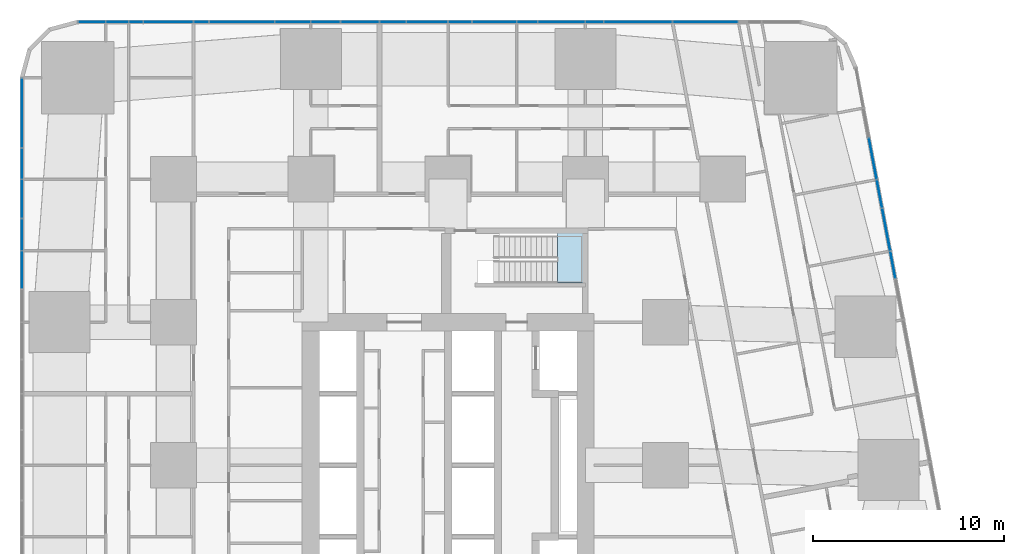
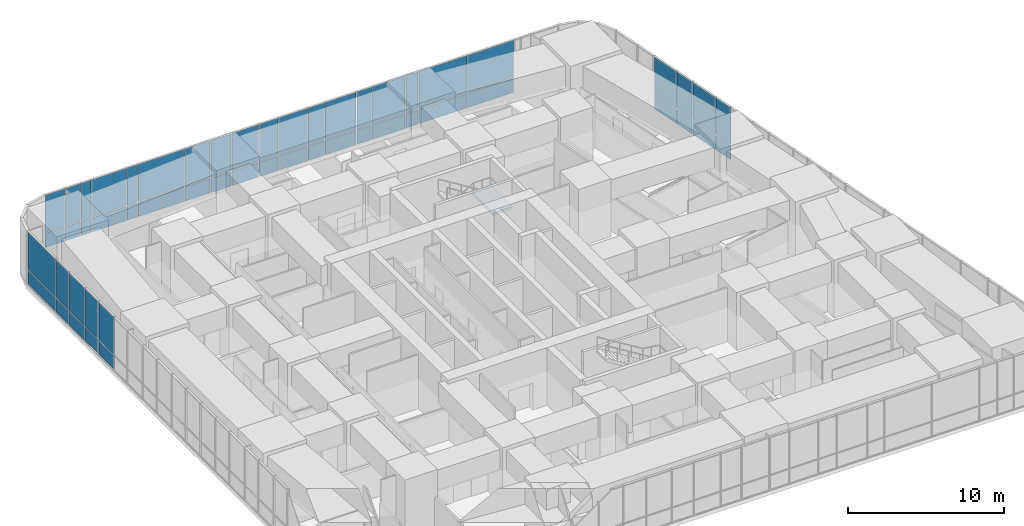
# One storey, part 12 of 23: 54 plates, 1 slab, 4 elements without a shape of their own.
"""IFC4 building model written with IfcOpenShell, lengths in metres."""

from ifc_helpers import new_model, si_unit, direction, frame, origin, origin_2d, place, context, subcontext, project, spatial, polyline, rectangle, outline, extrude, material, layer, layer_set, type_object, element, aggregate, save


model = new_model("IFC4")

# Units and contexts
model_context = context("Model", 3, precision=1e-05, world=origin(), true_north=direction((0.0, 1.0)))
body_context = subcontext(model_context, "Body", "Model", "MODEL_VIEW")
ifc_project = project(units=[si_unit("LENGTHUNIT", "METRE"), si_unit("AREAUNIT", "SQUARE_METRE"), si_unit("VOLUMEUNIT", "CUBIC_METRE"), si_unit("PLANEANGLEUNIT", "RADIAN"), si_unit("MASSUNIT", "GRAM", prefix="KILO")], contexts=[model_context])

# Site, building, storey
site_placement = place(None, origin())
site = spatial("IfcSite", under=ifc_project, at=site_placement, CompositionType="ELEMENT")
building_placement = place(site_placement, origin())
building = spatial("IfcBuilding", under=site, at=building_placement, Name="Sheger Commons Tower", CompositionType="ELEMENT")
storey_placement = place(building_placement, frame((0.0, 0.0, 5.60009765625)))
storey = spatial("IfcBuildingStorey", under=building, at=storey_placement, Name="L01", CompositionType="ELEMENT", Elevation=5.60009765625)

# Curtain wall, plates
ifc_material_1 = material(Name="Black aluminium curtain wall, dark tinted glazing", Category="aluminium")
curtain_wall_type = type_object("IfcCurtainWallType", Name="CURTAIN WALL CW2 HEALTH CENTRE", PredefinedType="USERDEFINED", material=ifc_material_1)
curtain_wall_1_placement = place(storey_placement, origin())
curtain_wall_1 = element("IfcCurtainWall", 1, at=curtain_wall_1_placement, inside=storey, type_object=curtain_wall_type, Name="Curtain Wall Cw2 Health Centre E1 L01", ObjectType="STICK CURTAIN WALL", PredefinedType="USERDEFINED")
ifc_material_2 = material(Name="Dark tinted double glazing", Category="glass")
ifc_layer_1 = layer(ifc_material_2, 0.031982421875)
ifc_layer_set_1 = layer_set([ifc_layer_1], Name="GLAZED PANEL 32")
plate_type = type_object("IfcPlateType", Name="GLAZED PANEL 32", PredefinedType="CURTAIN_PANEL", material=ifc_layer_set_1)
plate_1_placement = place(storey_placement, frame((44.9287109375, 33.007568359375, 0.06494140625), z_axis=(0.0, 0.0, 1.0), x_axis=(-0.185609884918, 0.982623514181, 0.0)))
plate_1 = element("IfcPlate", 2, at=plate_1_placement, type_object=plate_type, Name="CW2 panel 15.1", PredefinedType="CURTAIN_PANEL", context=body_context, shape_type="SweptSolid", body=[
    extrude(rectangle(XDim=1.407958984375, YDim=0.031982421875, at=origin_2d()), origin(), (0.0, 0.0, 1.0), 1.1025390625),
])
plate_2_placement = place(storey_placement, frame((44.9287109375, 33.007568359375, 1.232421875), z_axis=(0.0, 0.0, 1.0), x_axis=(-0.185609884918, 0.982623514181, 0.0)))
plate_2 = element("IfcPlate", 3, at=plate_2_placement, type_object=plate_type, Name="CW2 panel 15.2", PredefinedType="CURTAIN_PANEL", context=body_context, shape_type="SweptSolid", body=[
    extrude(rectangle(XDim=1.407958984375, YDim=0.031982421875, at=origin_2d()), origin(), (0.0, 0.0, 1.0), 2.902587890625),
])
plate_3_placement = place(storey_placement, frame((44.57958984375, 34.8564453125, 0.06494140625), z_axis=(0.0, 0.0, 1.0), x_axis=(-0.185609884918, 0.982623514181, 0.0)))
plate_3 = element("IfcPlate", 4, at=plate_3_placement, type_object=plate_type, Name="CW2 panel 16.1", PredefinedType="CURTAIN_PANEL", context=body_context, shape_type="SweptSolid", body=[
    extrude(rectangle(XDim=2.22509765625, YDim=0.031982421875, at=origin_2d()), origin(), (0.0, 0.0, 1.0), 1.1025390625),
])
plate_4_placement = place(storey_placement, frame((44.57958984375, 34.8564453125, 1.232421875), z_axis=(0.0, 0.0, 1.0), x_axis=(-0.185609884918, 0.982623514181, 0.0)))
plate_4 = element("IfcPlate", 5, at=plate_4_placement, type_object=plate_type, Name="CW2 panel 16.2", PredefinedType="CURTAIN_PANEL", context=body_context, shape_type="SweptSolid", body=[
    extrude(rectangle(XDim=2.22509765625, YDim=0.031982421875, at=origin_2d()), origin(), (0.0, 0.0, 1.0), 2.902587890625),
])
plate_5_placement = place(storey_placement, frame((44.225341796875, 36.731201171875, 0.06494140625), z_axis=(0.0, 0.0, 1.0), x_axis=(-0.185609884918, 0.982623514181, 0.0)))
plate_5 = element("IfcPlate", 6, at=plate_5_placement, type_object=plate_type, Name="CW2 panel 17.1", PredefinedType="CURTAIN_PANEL", context=body_context, shape_type="SweptSolid", body=[
    extrude(rectangle(XDim=1.4609375, YDim=0.031982421875, at=origin_2d()), origin(), (0.0, 0.0, 1.0), 1.1025390625),
])
plate_6_placement = place(storey_placement, frame((44.225341796875, 36.731201171875, 1.232421875), z_axis=(0.0, 0.0, 1.0), x_axis=(-0.185609884918, 0.982623514181, 0.0)))
plate_6 = element("IfcPlate", 7, at=plate_6_placement, type_object=plate_type, Name="CW2 panel 17.2", PredefinedType="CURTAIN_PANEL", context=body_context, shape_type="SweptSolid", body=[
    extrude(rectangle(XDim=1.4609375, YDim=0.031982421875, at=origin_2d()), origin(), (0.0, 0.0, 1.0), 2.902587890625),
])
plate_7_placement = place(storey_placement, frame((43.876220703125, 38.580078125, 0.06494140625), z_axis=(0.0, 0.0, 1.0), x_axis=(-0.185609884918, 0.982623514181, 0.0)))
plate_7 = element("IfcPlate", 8, at=plate_7_placement, type_object=plate_type, Name="CW2 panel 18.1", PredefinedType="CURTAIN_PANEL", context=body_context, shape_type="SweptSolid", body=[
    extrude(rectangle(XDim=2.172119140625, YDim=0.031982421875, at=origin_2d()), origin(), (0.0, 0.0, 1.0), 1.1025390625),
])
plate_8_placement = place(storey_placement, frame((43.876220703125, 38.580078125, 1.232421875), z_axis=(0.0, 0.0, 1.0), x_axis=(-0.185609884918, 0.982623514181, 0.0)))
plate_8 = element("IfcPlate", 9, at=plate_8_placement, type_object=plate_type, Name="CW2 panel 18.2", PredefinedType="CURTAIN_PANEL", context=body_context, shape_type="SweptSolid", body=[
    extrude(rectangle(XDim=2.172119140625, YDim=0.031982421875, at=origin_2d()), origin(), (0.0, 0.0, 1.0), 2.902587890625),
])
aggregate(curtain_wall_1, [plate_1, plate_2, plate_3, plate_4, plate_5, plate_6, plate_7, plate_8])

curtain_wall_2_placement = place(storey_placement, origin())
curtain_wall_2 = element("IfcCurtainWall", 10, at=curtain_wall_2_placement, inside=storey, type_object=curtain_wall_type, Name="Curtain Wall Cw2 Health Centre N1 L01", ObjectType="STICK CURTAIN WALL", PredefinedType="USERDEFINED")
plate_9_placement = place(storey_placement, frame((35.093017578125, 45.75, 0.06494140625), z_axis=(0.0, 0.0, 1.0), x_axis=(-1.0, 0.0, 0.0)))
plate_9 = element("IfcPlate", 11, at=plate_9_placement, type_object=plate_type, Name="CW2 panel 4.1", PredefinedType="CURTAIN_PANEL", context=body_context, shape_type="SweptSolid", body=[
    extrude(rectangle(XDim=3.39501953125, YDim=0.031982421875, at=origin_2d()), origin(), (0.0, 0.0, 1.0), 1.1025390625),
])
plate_10_placement = place(storey_placement, frame((35.093017578125, 45.75, 1.232421875), z_axis=(0.0, 0.0, 1.0), x_axis=(-1.0, 0.0, 0.0)))
plate_10 = element("IfcPlate", 12, at=plate_10_placement, type_object=plate_type, Name="CW2 panel 4.2", PredefinedType="CURTAIN_PANEL", context=body_context, shape_type="SweptSolid", body=[
    extrude(rectangle(XDim=3.39501953125, YDim=0.031982421875, at=origin_2d()), origin(), (0.0, 0.0, 1.0), 2.902587890625),
])
plate_11_placement = place(storey_placement, frame((31.560546875, 45.75, 0.06494140625), z_axis=(0.0, 0.0, 1.0), x_axis=(-1.0, 0.0, 0.0)))
plate_11 = element("IfcPlate", 13, at=plate_11_placement, type_object=plate_type, Name="CW2 panel 5.1", PredefinedType="CURTAIN_PANEL", context=body_context, shape_type="SweptSolid", body=[
    extrude(rectangle(XDim=3.5400390625, YDim=0.031982421875, at=origin_2d()), origin(), (0.0, 0.0, 1.0), 1.1025390625),
])
plate_12_placement = place(storey_placement, frame((31.560546875, 45.75, 1.232421875), z_axis=(0.0, 0.0, 1.0), x_axis=(-1.0, 0.0, 0.0)))
plate_12 = element("IfcPlate", 14, at=plate_12_placement, type_object=plate_type, Name="CW2 panel 5.2", PredefinedType="CURTAIN_PANEL", context=body_context, shape_type="SweptSolid", body=[
    extrude(rectangle(XDim=3.5400390625, YDim=0.031982421875, at=origin_2d()), origin(), (0.0, 0.0, 1.0), 2.902587890625),
])
plate_13_placement = place(storey_placement, frame((29.279052734375, 45.75, 0.06494140625), z_axis=(0.0, 0.0, 1.0), x_axis=(-1.0, 0.0, 0.0)))
plate_13 = element("IfcPlate", 15, at=plate_13_placement, type_object=plate_type, Name="CW2 panel 6.1", PredefinedType="CURTAIN_PANEL", context=body_context, shape_type="SweptSolid", body=[
    extrude(rectangle(XDim=0.89306640625, YDim=0.031982421875, at=origin_2d()), origin(), (0.0, 0.0, 1.0), 1.1025390625),
])
plate_14_placement = place(storey_placement, frame((29.279052734375, 45.75, 1.232421875), z_axis=(0.0, 0.0, 1.0), x_axis=(-1.0, 0.0, 0.0)))
plate_14 = element("IfcPlate", 16, at=plate_14_placement, type_object=plate_type, Name="CW2 panel 6.2", PredefinedType="CURTAIN_PANEL", context=body_context, shape_type="SweptSolid", body=[
    extrude(rectangle(XDim=0.89306640625, YDim=0.031982421875, at=origin_2d()), origin(), (0.0, 0.0, 1.0), 2.902587890625),
])
plate_15_placement = place(storey_placement, frame((27.554443359375, 45.75, 0.06494140625), z_axis=(0.0, 0.0, 1.0), x_axis=(-1.0, 0.0, 0.0)))
plate_15 = element("IfcPlate", 17, at=plate_15_placement, type_object=plate_type, Name="CW2 panel 7.1", PredefinedType="CURTAIN_PANEL", context=body_context, shape_type="SweptSolid", body=[
    extrude(rectangle(XDim=2.426025390625, YDim=0.031982421875, at=origin_2d()), origin(), (0.0, 0.0, 1.0), 1.1025390625),
])
plate_16_placement = place(storey_placement, frame((27.554443359375, 45.75, 1.232421875), z_axis=(0.0, 0.0, 1.0), x_axis=(-1.0, 0.0, 0.0)))
plate_16 = element("IfcPlate", 18, at=plate_16_placement, type_object=plate_type, Name="CW2 panel 7.2", PredefinedType="CURTAIN_PANEL", context=body_context, shape_type="SweptSolid", body=[
    extrude(rectangle(XDim=2.426025390625, YDim=0.031982421875, at=origin_2d()), origin(), (0.0, 0.0, 1.0), 2.902587890625),
])
plate_17_placement = place(storey_placement, frame((25.75439453125, 45.75, 0.06494140625), z_axis=(0.0, 0.0, 1.0), x_axis=(-1.0, 0.0, 0.0)))
plate_17 = element("IfcPlate", 19, at=plate_17_placement, type_object=plate_type, Name="CW2 panel 8.1", PredefinedType="CURTAIN_PANEL", context=body_context, shape_type="SweptSolid", body=[
    extrude(rectangle(XDim=1.0439453125, YDim=0.031982421875, at=origin_2d()), origin(), (0.0, 0.0, 1.0), 1.1025390625),
])
plate_18_placement = place(storey_placement, frame((25.75439453125, 45.75, 1.232421875), z_axis=(0.0, 0.0, 1.0), x_axis=(-1.0, 0.0, 0.0)))
plate_18 = element("IfcPlate", 20, at=plate_18_placement, type_object=plate_type, Name="CW2 panel 8.2", PredefinedType="CURTAIN_PANEL", context=body_context, shape_type="SweptSolid", body=[
    extrude(rectangle(XDim=1.0439453125, YDim=0.031982421875, at=origin_2d()), origin(), (0.0, 0.0, 1.0), 2.902587890625),
])
plate_19_placement = place(storey_placement, frame((24.029541015625, 45.75, 0.06494140625), z_axis=(0.0, 0.0, 1.0), x_axis=(-1.0, 0.0, 0.0)))
plate_19 = element("IfcPlate", 21, at=plate_19_placement, type_object=plate_type, Name="CW2 panel 9.1", PredefinedType="CURTAIN_PANEL", context=body_context, shape_type="SweptSolid", body=[
    extrude(rectangle(XDim=2.27587890625, YDim=0.031982421875, at=origin_2d()), origin(), (0.0, 0.0, 1.0), 1.1025390625),
])
plate_20_placement = place(storey_placement, frame((24.029541015625, 45.75, 1.232421875), z_axis=(0.0, 0.0, 1.0), x_axis=(-1.0, 0.0, 0.0)))
plate_20 = element("IfcPlate", 22, at=plate_20_placement, type_object=plate_type, Name="CW2 panel 9.2", PredefinedType="CURTAIN_PANEL", context=body_context, shape_type="SweptSolid", body=[
    extrude(rectangle(XDim=2.27587890625, YDim=0.031982421875, at=origin_2d()), origin(), (0.0, 0.0, 1.0), 2.902587890625),
])
plate_21_placement = place(storey_placement, frame((22.2294921875, 45.75, 0.06494140625), z_axis=(0.0, 0.0, 1.0), x_axis=(-1.0, 0.0, 0.0)))
plate_21 = element("IfcPlate", 23, at=plate_21_placement, type_object=plate_type, Name="CW2 panel 10.1", PredefinedType="CURTAIN_PANEL", context=body_context, shape_type="SweptSolid", body=[
    extrude(rectangle(XDim=1.194091796875, YDim=0.031982421875, at=origin_2d()), origin(), (0.0, 0.0, 1.0), 1.1025390625),
])
plate_22_placement = place(storey_placement, frame((22.2294921875, 45.75, 1.232421875), z_axis=(0.0, 0.0, 1.0), x_axis=(-1.0, 0.0, 0.0)))
plate_22 = element("IfcPlate", 24, at=plate_22_placement, type_object=plate_type, Name="CW2 panel 10.2", PredefinedType="CURTAIN_PANEL", context=body_context, shape_type="SweptSolid", body=[
    extrude(rectangle(XDim=1.194091796875, YDim=0.031982421875, at=origin_2d()), origin(), (0.0, 0.0, 1.0), 2.902587890625),
])
plate_23_placement = place(storey_placement, frame((20.5048828125, 45.75, 0.06494140625), z_axis=(0.0, 0.0, 1.0), x_axis=(-1.0, 0.0, 0.0)))
plate_23 = element("IfcPlate", 25, at=plate_23_placement, type_object=plate_type, Name="CW2 panel 11.1", PredefinedType="CURTAIN_PANEL", context=body_context, shape_type="SweptSolid", body=[
    extrude(rectangle(XDim=2.125, YDim=0.031982421875, at=origin_2d()), origin(), (0.0, 0.0, 1.0), 1.1025390625),
])
plate_24_placement = place(storey_placement, frame((20.5048828125, 45.75, 1.232421875), z_axis=(0.0, 0.0, 1.0), x_axis=(-1.0, 0.0, 0.0)))
plate_24 = element("IfcPlate", 26, at=plate_24_placement, type_object=plate_type, Name="CW2 panel 11.2", PredefinedType="CURTAIN_PANEL", context=body_context, shape_type="SweptSolid", body=[
    extrude(rectangle(XDim=2.125, YDim=0.031982421875, at=origin_2d()), origin(), (0.0, 0.0, 1.0), 2.902587890625),
])
plate_25_placement = place(storey_placement, frame((18.705078125, 45.75, 0.06494140625), z_axis=(0.0, 0.0, 1.0), x_axis=(-1.0, 0.0, 0.0)))
plate_25 = element("IfcPlate", 27, at=plate_25_placement, type_object=plate_type, Name="CW2 panel 12.1", PredefinedType="CURTAIN_PANEL", context=body_context, shape_type="SweptSolid", body=[
    extrude(rectangle(XDim=1.344970703125, YDim=0.031982421875, at=origin_2d()), origin(), (0.0, 0.0, 1.0), 1.1025390625),
])
plate_26_placement = place(storey_placement, frame((18.705078125, 45.75, 1.232421875), z_axis=(0.0, 0.0, 1.0), x_axis=(-1.0, 0.0, 0.0)))
plate_26 = element("IfcPlate", 28, at=plate_26_placement, type_object=plate_type, Name="CW2 panel 12.2", PredefinedType="CURTAIN_PANEL", context=body_context, shape_type="SweptSolid", body=[
    extrude(rectangle(XDim=1.344970703125, YDim=0.031982421875, at=origin_2d()), origin(), (0.0, 0.0, 1.0), 2.902587890625),
])
plate_27_placement = place(storey_placement, frame((16.97998046875, 45.75, 0.06494140625), z_axis=(0.0, 0.0, 1.0), x_axis=(-1.0, 0.0, 0.0)))
plate_27 = element("IfcPlate", 29, at=plate_27_placement, type_object=plate_type, Name="CW2 panel 13.1", PredefinedType="CURTAIN_PANEL", context=body_context, shape_type="SweptSolid", body=[
    extrude(rectangle(XDim=1.97509765625, YDim=0.031982421875, at=origin_2d()), origin(), (0.0, 0.0, 1.0), 1.1025390625),
])
plate_28_placement = place(storey_placement, frame((16.97998046875, 45.75, 1.232421875), z_axis=(0.0, 0.0, 1.0), x_axis=(-1.0, 0.0, 0.0)))
plate_28 = element("IfcPlate", 30, at=plate_28_placement, type_object=plate_type, Name="CW2 panel 13.2", PredefinedType="CURTAIN_PANEL", context=body_context, shape_type="SweptSolid", body=[
    extrude(rectangle(XDim=1.97509765625, YDim=0.031982421875, at=origin_2d()), origin(), (0.0, 0.0, 1.0), 2.902587890625),
])
plate_29_placement = place(storey_placement, frame((15.179931640625, 45.75, 0.06494140625), z_axis=(0.0, 0.0, 1.0), x_axis=(-1.0, 0.0, 0.0)))
plate_29 = element("IfcPlate", 31, at=plate_29_placement, type_object=plate_type, Name="CW2 panel 14.1", PredefinedType="CURTAIN_PANEL", context=body_context, shape_type="SweptSolid", body=[
    extrude(rectangle(XDim=1.4951171875, YDim=0.031982421875, at=origin_2d()), origin(), (0.0, 0.0, 1.0), 1.1025390625),
])
plate_30_placement = place(storey_placement, frame((15.179931640625, 45.75, 1.232421875), z_axis=(0.0, 0.0, 1.0), x_axis=(-1.0, 0.0, 0.0)))
plate_30 = element("IfcPlate", 32, at=plate_30_placement, type_object=plate_type, Name="CW2 panel 14.2", PredefinedType="CURTAIN_PANEL", context=body_context, shape_type="SweptSolid", body=[
    extrude(rectangle(XDim=1.4951171875, YDim=0.031982421875, at=origin_2d()), origin(), (0.0, 0.0, 1.0), 2.902587890625),
])
plate_31_placement = place(storey_placement, frame((13.45556640625, 45.75, 0.06494140625), z_axis=(0.0, 0.0, 1.0), x_axis=(-1.0, 0.0, 0.0)))
plate_31 = element("IfcPlate", 33, at=plate_31_placement, type_object=plate_type, Name="CW2 panel 15.1", PredefinedType="CURTAIN_PANEL", context=body_context, shape_type="SweptSolid", body=[
    extrude(rectangle(XDim=1.823974609375, YDim=0.031982421875, at=origin_2d()), origin(), (0.0, 0.0, 1.0), 1.1025390625),
])
plate_32_placement = place(storey_placement, frame((13.45556640625, 45.75, 1.232421875), z_axis=(0.0, 0.0, 1.0), x_axis=(-1.0, 0.0, 0.0)))
plate_32 = element("IfcPlate", 34, at=plate_32_placement, type_object=plate_type, Name="CW2 panel 15.2", PredefinedType="CURTAIN_PANEL", context=body_context, shape_type="SweptSolid", body=[
    extrude(rectangle(XDim=1.823974609375, YDim=0.031982421875, at=origin_2d()), origin(), (0.0, 0.0, 1.0), 2.902587890625),
])
plate_33_placement = place(storey_placement, frame((10.78662109375, 45.75, 0.06494140625), z_axis=(0.0, 0.0, 1.0), x_axis=(-1.0, 0.0, 0.0)))
plate_33 = element("IfcPlate", 35, at=plate_33_placement, type_object=plate_type, Name="CW2 panel 16.1", PredefinedType="CURTAIN_PANEL", context=body_context, shape_type="SweptSolid", body=[
    extrude(rectangle(XDim=3.384033203125, YDim=0.031982421875, at=origin_2d()), origin(), (0.0, 0.0, 1.0), 1.1025390625),
])
plate_34_placement = place(storey_placement, frame((10.78662109375, 45.75, 1.232421875), z_axis=(0.0, 0.0, 1.0), x_axis=(-1.0, 0.0, 0.0)))
plate_34 = element("IfcPlate", 36, at=plate_34_placement, type_object=plate_type, Name="CW2 panel 16.2", PredefinedType="CURTAIN_PANEL", context=body_context, shape_type="SweptSolid", body=[
    extrude(rectangle(XDim=3.384033203125, YDim=0.031982421875, at=origin_2d()), origin(), (0.0, 0.0, 1.0), 2.902587890625),
])
plate_35_placement = place(storey_placement, frame((8.656005859375, 45.75, 0.06494140625), z_axis=(0.0, 0.0, 1.0), x_axis=(-1.0, 0.0, 0.0)))
plate_35 = element("IfcPlate", 37, at=plate_35_placement, type_object=plate_type, Name="CW2 panel 17.1", PredefinedType="CURTAIN_PANEL", context=body_context, shape_type="SweptSolid", body=[
    extrude(rectangle(XDim=0.7470703125, YDim=0.031982421875, at=origin_2d()), origin(), (0.0, 0.0, 1.0), 1.1025390625),
])
plate_36_placement = place(storey_placement, frame((8.656005859375, 45.75, 1.232421875), z_axis=(0.0, 0.0, 1.0), x_axis=(-1.0, 0.0, 0.0)))
plate_36 = element("IfcPlate", 38, at=plate_36_placement, type_object=plate_type, Name="CW2 panel 17.2", PredefinedType="CURTAIN_PANEL", context=body_context, shape_type="SweptSolid", body=[
    extrude(rectangle(XDim=0.7470703125, YDim=0.031982421875, at=origin_2d()), origin(), (0.0, 0.0, 1.0), 2.902587890625),
])
plate_37_placement = place(storey_placement, frame((6.930908203125, 45.75, 0.06494140625), z_axis=(0.0, 0.0, 1.0), x_axis=(-1.0, 0.0, 0.0)))
plate_37 = element("IfcPlate", 39, at=plate_37_placement, type_object=plate_type, Name="CW2 panel 18.1", PredefinedType="CURTAIN_PANEL", context=body_context, shape_type="SweptSolid", body=[
    extrude(rectangle(XDim=2.572998046875, YDim=0.031982421875, at=origin_2d()), origin(), (0.0, 0.0, 1.0), 1.1025390625),
])
plate_38_placement = place(storey_placement, frame((6.930908203125, 45.75, 1.232421875), z_axis=(0.0, 0.0, 1.0), x_axis=(-1.0, 0.0, 0.0)))
plate_38 = element("IfcPlate", 40, at=plate_38_placement, type_object=plate_type, Name="CW2 panel 18.2", PredefinedType="CURTAIN_PANEL", context=body_context, shape_type="SweptSolid", body=[
    extrude(rectangle(XDim=2.572998046875, YDim=0.031982421875, at=origin_2d()), origin(), (0.0, 0.0, 1.0), 2.902587890625),
])
plate_39_placement = place(storey_placement, frame((5.23095703125, 45.75, 0.06494140625), z_axis=(0.0, 0.0, 1.0), x_axis=(-1.0, 0.0, 0.0)))
plate_39 = element("IfcPlate", 41, at=plate_39_placement, type_object=plate_type, Name="CW2 panel 19.1", PredefinedType="CURTAIN_PANEL", context=body_context, shape_type="SweptSolid", body=[
    extrude(rectangle(XDim=0.697021484375, YDim=0.031982421875, at=origin_2d()), origin(), (0.0, 0.0, 1.0), 1.1025390625),
])
plate_40_placement = place(storey_placement, frame((5.23095703125, 45.75, 1.232421875), z_axis=(0.0, 0.0, 1.0), x_axis=(-1.0, 0.0, 0.0)))
plate_40 = element("IfcPlate", 42, at=plate_40_placement, type_object=plate_type, Name="CW2 panel 19.2", PredefinedType="CURTAIN_PANEL", context=body_context, shape_type="SweptSolid", body=[
    extrude(rectangle(XDim=0.697021484375, YDim=0.031982421875, at=origin_2d()), origin(), (0.0, 0.0, 1.0), 2.902587890625),
])
plate_41_placement = place(storey_placement, frame((4.25, 45.75, 0.06494140625), z_axis=(0.0, 0.0, 1.0), x_axis=(-1.0, 0.0, 0.0)))
plate_41 = element("IfcPlate", 43, at=plate_41_placement, type_object=plate_type, Name="CW2 panel 20.1", PredefinedType="CURTAIN_PANEL", context=body_context, shape_type="SweptSolid", body=[
    extrude(rectangle(XDim=1.135009765625, YDim=0.031982421875, at=origin_2d()), origin(), (0.0, 0.0, 1.0), 1.1025390625),
])
plate_42_placement = place(storey_placement, frame((4.25, 45.75, 1.232421875), z_axis=(0.0, 0.0, 1.0), x_axis=(-1.0, 0.0, 0.0)))
plate_42 = element("IfcPlate", 44, at=plate_42_placement, type_object=plate_type, Name="CW2 panel 20.2", PredefinedType="CURTAIN_PANEL", context=body_context, shape_type="SweptSolid", body=[
    extrude(rectangle(XDim=1.135009765625, YDim=0.031982421875, at=origin_2d()), origin(), (0.0, 0.0, 1.0), 2.902587890625),
])
plate_43_placement = place(storey_placement, frame((2.9228515625, 45.75, 0.06494140625), z_axis=(0.0, 0.0, 1.0), x_axis=(-1.0, 0.0, 0.0)))
plate_43 = element("IfcPlate", 45, at=plate_43_placement, type_object=plate_type, Name="CW2 panel 21.1", PredefinedType="CURTAIN_PANEL", context=body_context, shape_type="SweptSolid", body=[
    extrude(rectangle(XDim=1.389404296875, YDim=0.031982421875, at=origin_2d()), origin(), (0.0, 0.0, 1.0), 1.1025390625),
])
plate_44_placement = place(storey_placement, frame((2.9228515625, 45.75, 1.232421875), z_axis=(0.0, 0.0, 1.0), x_axis=(-1.0, 0.0, 0.0)))
plate_44 = element("IfcPlate", 46, at=plate_44_placement, type_object=plate_type, Name="CW2 panel 21.2", PredefinedType="CURTAIN_PANEL", context=body_context, shape_type="SweptSolid", body=[
    extrude(rectangle(XDim=1.389404296875, YDim=0.031982421875, at=origin_2d()), origin(), (0.0, 0.0, 1.0), 2.902587890625),
])
aggregate(curtain_wall_2, [plate_9, plate_10, plate_11, plate_12, plate_13, plate_14, plate_15, plate_16, plate_17, plate_18, plate_19, plate_20, plate_21, plate_22, plate_23, plate_24, plate_25, plate_26, plate_27, plate_28, plate_29, plate_30, plate_31, plate_32, plate_33, plate_34, plate_35, plate_36, plate_37, plate_38, plate_39, plate_40, plate_41, plate_42, plate_43, plate_44])

curtain_wall_3_placement = place(storey_placement, origin())
curtain_wall_3 = element("IfcCurtainWall", 47, at=curtain_wall_3_placement, inside=storey, type_object=curtain_wall_type, Name="Curtain Wall Cw2 Health Centre W1 L01", ObjectType="STICK CURTAIN WALL", PredefinedType="USERDEFINED")
plate_45_placement = place(storey_placement, frame((-0.75, 40.9716796875, 0.06494140625), z_axis=(0.0, 0.0, 1.0), x_axis=(0.0, -1.0, 0.0)))
plate_45 = element("IfcPlate", 48, at=plate_45_placement, type_object=plate_type, Name="CW2 panel 1.1", PredefinedType="CURTAIN_PANEL", context=body_context, shape_type="SweptSolid", body=[
    extrude(rectangle(XDim=3.6005859375, YDim=0.031982421875, at=origin_2d()), origin(), (0.0, 0.0, 1.0), 1.1025390625),
])
plate_46_placement = place(storey_placement, frame((-0.75, 40.9716796875, 1.232421875), z_axis=(0.0, 0.0, 1.0), x_axis=(0.0, -1.0, 0.0)))
plate_46 = element("IfcPlate", 49, at=plate_46_placement, type_object=plate_type, Name="CW2 panel 1.2", PredefinedType="CURTAIN_PANEL", context=body_context, shape_type="SweptSolid", body=[
    extrude(rectangle(XDim=3.6005859375, YDim=0.031982421875, at=origin_2d()), origin(), (0.0, 0.0, 1.0), 2.902587890625),
])
plate_47_placement = place(storey_placement, frame((-0.75, 38.319580078125, 0.06494140625), z_axis=(0.0, 0.0, 1.0), x_axis=(0.0, -1.0, 0.0)))
plate_47 = element("IfcPlate", 50, at=plate_47_placement, type_object=plate_type, Name="CW2 panel 2.1", PredefinedType="CURTAIN_PANEL", context=body_context, shape_type="SweptSolid", body=[
    extrude(rectangle(XDim=1.573974609375, YDim=0.031982421875, at=origin_2d()), origin(), (0.0, 0.0, 1.0), 1.1025390625),
])
plate_48_placement = place(storey_placement, frame((-0.75, 38.319580078125, 1.232421875), z_axis=(0.0, 0.0, 1.0), x_axis=(0.0, -1.0, 0.0)))
plate_48 = element("IfcPlate", 51, at=plate_48_placement, type_object=plate_type, Name="CW2 panel 2.2", PredefinedType="CURTAIN_PANEL", context=body_context, shape_type="SweptSolid", body=[
    extrude(rectangle(XDim=1.573974609375, YDim=0.031982421875, at=origin_2d()), origin(), (0.0, 0.0, 1.0), 2.902587890625),
])
plate_49_placement = place(storey_placement, frame((-0.75, 36.470947265625, 0.06494140625), z_axis=(0.0, 0.0, 1.0), x_axis=(0.0, -1.0, 0.0)))
plate_49 = element("IfcPlate", 52, at=plate_49_placement, type_object=plate_type, Name="CW2 panel 3.1", PredefinedType="CURTAIN_PANEL", context=body_context, shape_type="SweptSolid", body=[
    extrude(rectangle(XDim=1.992919921875, YDim=0.031982421875, at=origin_2d()), origin(), (0.0, 0.0, 1.0), 1.1025390625),
])
plate_50_placement = place(storey_placement, frame((-0.75, 36.470947265625, 1.232421875), z_axis=(0.0, 0.0, 1.0), x_axis=(0.0, -1.0, 0.0)))
plate_50 = element("IfcPlate", 53, at=plate_50_placement, type_object=plate_type, Name="CW2 panel 3.2", PredefinedType="CURTAIN_PANEL", context=body_context, shape_type="SweptSolid", body=[
    extrude(rectangle(XDim=1.992919921875, YDim=0.031982421875, at=origin_2d()), origin(), (0.0, 0.0, 1.0), 2.902587890625),
])
plate_51_placement = place(storey_placement, frame((-0.75, 34.595947265625, 0.06494140625), z_axis=(0.0, 0.0, 1.0), x_axis=(0.0, -1.0, 0.0)))
plate_51 = element("IfcPlate", 54, at=plate_51_placement, type_object=plate_type, Name="CW2 panel 4.1", PredefinedType="CURTAIN_PANEL", context=body_context, shape_type="SweptSolid", body=[
    extrude(rectangle(XDim=1.626953125, YDim=0.031982421875, at=origin_2d()), origin(), (0.0, 0.0, 1.0), 1.1025390625),
])
plate_52_placement = place(storey_placement, frame((-0.75, 34.595947265625, 1.232421875), z_axis=(0.0, 0.0, 1.0), x_axis=(0.0, -1.0, 0.0)))
plate_52 = element("IfcPlate", 55, at=plate_52_placement, type_object=plate_type, Name="CW2 panel 4.2", PredefinedType="CURTAIN_PANEL", context=body_context, shape_type="SweptSolid", body=[
    extrude(rectangle(XDim=1.626953125, YDim=0.031982421875, at=origin_2d()), origin(), (0.0, 0.0, 1.0), 2.902587890625),
])
plate_53_placement = place(storey_placement, frame((-0.75, 32.7470703125, 0.06494140625), z_axis=(0.0, 0.0, 1.0), x_axis=(0.0, -1.0, 0.0)))
plate_53 = element("IfcPlate", 56, at=plate_53_placement, type_object=plate_type, Name="CW2 panel 5.1", PredefinedType="CURTAIN_PANEL", context=body_context, shape_type="SweptSolid", body=[
    extrude(rectangle(XDim=1.94091796875, YDim=0.031982421875, at=origin_2d()), origin(), (0.0, 0.0, 1.0), 1.1025390625),
])
plate_54_placement = place(storey_placement, frame((-0.75, 32.7470703125, 1.232421875), z_axis=(0.0, 0.0, 1.0), x_axis=(0.0, -1.0, 0.0)))
plate_54 = element("IfcPlate", 57, at=plate_54_placement, type_object=plate_type, Name="CW2 panel 5.2", PredefinedType="CURTAIN_PANEL", context=body_context, shape_type="SweptSolid", body=[
    extrude(rectangle(XDim=1.94091796875, YDim=0.031982421875, at=origin_2d()), origin(), (0.0, 0.0, 1.0), 2.902587890625),
])
aggregate(curtain_wall_3, [plate_45, plate_46, plate_47, plate_48, plate_49, plate_50, plate_51, plate_52, plate_53, plate_54])

# Stair, slab
ifc_material_3 = material(Name="Concrete C35/45", Category="concrete")
stair_type = type_object("IfcStairType", Name="HALF-TURN STAIR 1200 RISE 4500", PredefinedType="HALF_TURN_STAIR", material=ifc_material_3)
stair_placement = place(storey_placement, origin())
stair = element("IfcStair", 58, at=stair_placement, inside=storey, type_object=stair_type, Name="Stair S2 L01", PredefinedType="HALF_TURN_STAIR")
ifc_material_4 = material(Name="Concrete C35/45", Category="concrete")
ifc_layer_2 = layer(ifc_material_4, 0.199951171875)
ifc_layer_set_2 = layer_set([ifc_layer_2], Name="STAIR LANDING 200")
slab_type = type_object("IfcSlabType", Name="STAIR LANDING 200", PredefinedType="LANDING", material=ifc_layer_set_2)
slab_placement = place(storey_placement, frame((0.0, 0.0, 2.0498046875)))
slab = element("IfcSlab", 59, at=slab_placement, type_object=slab_type, Name="S2 landing 1", PredefinedType="LANDING", context=body_context, shape_type="SweptSolid", body=[
    extrude(outline(polyline([(27.35009765625, 32.050048828125), (28.800048828125, 32.050048828125), (28.800048828125, 34.800048828125), (27.35009765625, 34.800048828125), (27.35009765625, 32.050048828125)])), origin(), (0.0, 0.0, 1.0), 0.2001953125),
])
aggregate(stair, [slab])

save(model, "model.ifc")
